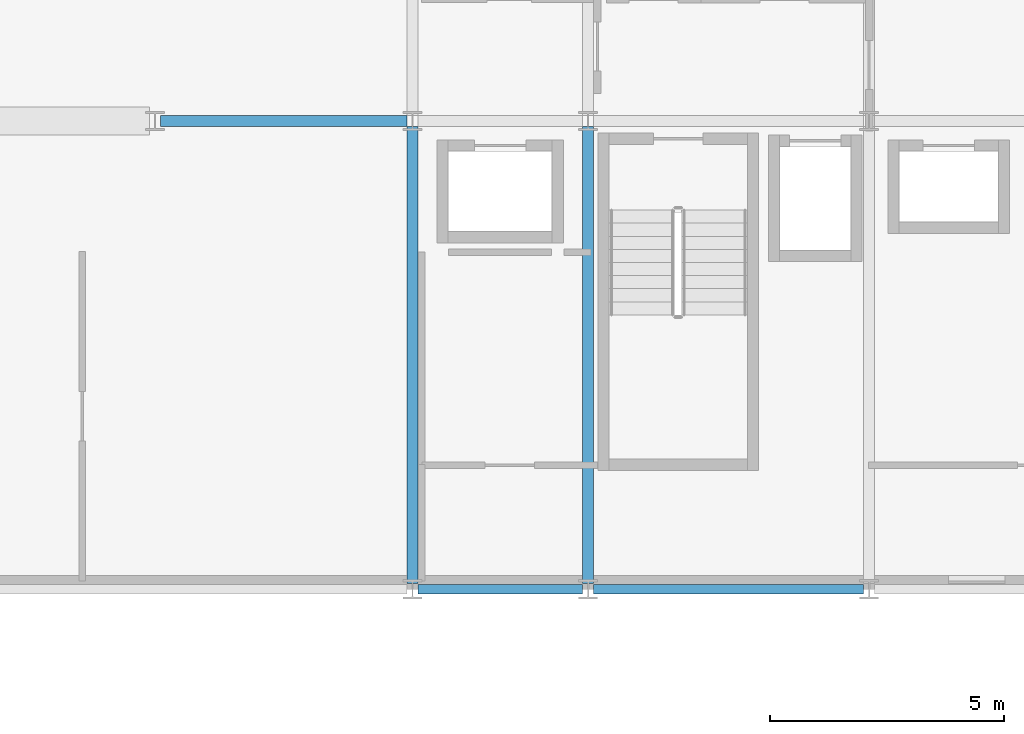
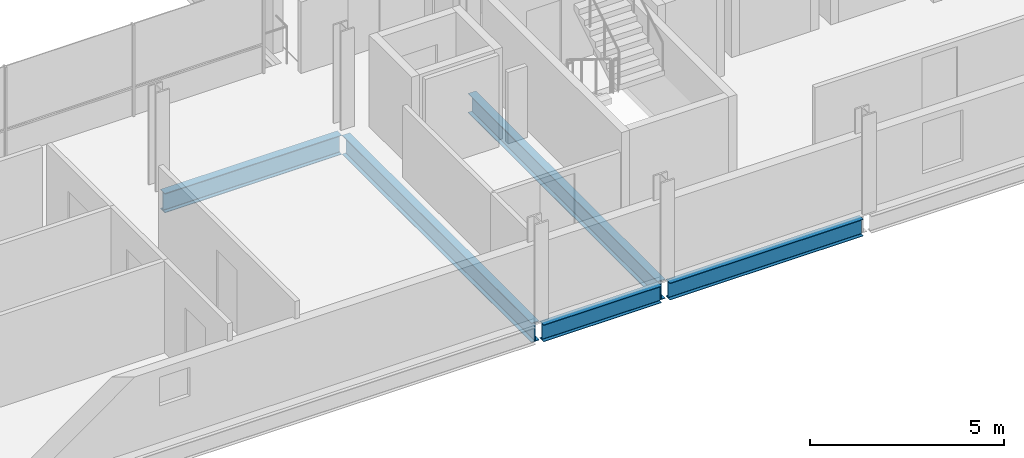
# One storey, part 14 of 41: 5 beams.
"""IFC4 building model written with IfcOpenShell, lengths in metres."""

from ifc_helpers import new_model, si_unit, direction, frame, origin, origin_2d, place, context, subcontext, project, spatial, i_section, extrude, material, material_profile, profile_set, type_object, element, save


model = new_model("IFC4")

# Units and contexts
model_context = context("Model", 3, precision=1e-05, world=origin(), true_north=direction((0.0, 1.0)))
body_context = subcontext(model_context, "Body", "Model", "MODEL_VIEW")
ifc_project = project(units=[si_unit("LENGTHUNIT", "METRE"), si_unit("AREAUNIT", "SQUARE_METRE"), si_unit("VOLUMEUNIT", "CUBIC_METRE"), si_unit("PLANEANGLEUNIT", "RADIAN"), si_unit("MASSUNIT", "GRAM", prefix="KILO")], contexts=[model_context])

# Site, building, storey
site_placement = place(None, origin())
site = spatial("IfcSite", under=ifc_project, at=site_placement, CompositionType="ELEMENT")
building_placement = place(site_placement, origin())
building = spatial("IfcBuilding", under=site, at=building_placement, Name="Brevholm Reach", CompositionType="ELEMENT")
storey_placement = place(building_placement, frame((0.0, 0.0, 163.5)))
storey = spatial("IfcBuildingStorey", under=building, at=storey_placement, Name="L49", CompositionType="ELEMENT", Elevation=163.5)

# Beams
ifc_material_1 = material(Name="Structural Steel S355J2", Category="steel")
ifc_material_profile_1 = material_profile(ifc_material_1, i_section(OverallWidth=0.209228515625, OverallDepth=0.533203125, WebThickness=0.010009765625, FlangeThickness=0.015625, FilletRadius=0.0126953125, at=origin_2d()), Name="UKB 533x210x92")
ifc_profile_set_1 = profile_set([ifc_material_profile_1], Name="Structural Steel S355J2")
beam_type_1 = type_object("IfcBeamType", Name="BM-SP533", PredefinedType="SPANDREL", material=ifc_profile_set_1)
beam_1_placement = place(storey_placement, frame((38.3701171875, 0.0, -0.486572265625), z_axis=(1.0, 0.0, 0.0), x_axis=(0.0, 1.0, 0.0)))
element("IfcBeam", 1, at=beam_1_placement, inside=storey, type_object=beam_type_1, Name="L49 SP-02 Framing Beam", PredefinedType="SPANDREL", context=body_context, shape_type="SweptSolid", body=[
    extrude(i_section(OverallWidth=0.209228515625, OverallDepth=0.533203125, WebThickness=0.010009765625, FlangeThickness=0.015625, FilletRadius=0.0126953125, at=origin_2d()), origin(), (0.0, 0.0, 1.0), 3.509765625),
])
beam_2_placement = place(storey_placement, frame((42.1201171875, 0.0, -0.486572265625), z_axis=(1.0, 0.0, 0.0), x_axis=(0.0, 1.0, 0.0)))
element("IfcBeam", 2, at=beam_2_placement, inside=storey, type_object=beam_type_1, Name="L49 SP-02 Framing Beam", PredefinedType="SPANDREL", context=body_context, shape_type="SweptSolid", body=[
    extrude(i_section(OverallWidth=0.209228515625, OverallDepth=0.533203125, WebThickness=0.010009765625, FlangeThickness=0.015625, FilletRadius=0.0126953125, at=origin_2d()), origin(), (0.0, 0.0, 1.0), 5.759765625),
])
ifc_material_2 = material(Name="Structural Steel S355J2", Category="steel")
ifc_material_profile_2 = material_profile(ifc_material_2, i_section(OverallWidth=0.22900390625, OverallDepth=0.6123046875, WebThickness=0.011962890625, FlangeThickness=0.01953125, FilletRadius=0.0126953125, at=origin_2d()), Name="UKB 610x229x125")
ifc_profile_set_2 = profile_set([ifc_material_profile_2], Name="Structural Steel S355J2")
beam_type_2 = type_object("IfcBeamType", Name="BM-SP610", PredefinedType="SPANDREL", material=ifc_profile_set_2)
beam_3_placement = place(storey_placement, frame((32.8701171875, 10.0, -0.526123046875), z_axis=(1.0, 0.0, 0.0), x_axis=(0.0, 1.0, 0.0)))
element("IfcBeam", 3, at=beam_3_placement, inside=storey, type_object=beam_type_2, Name="L49 SP-01 Framing Beam", PredefinedType="SPANDREL", context=body_context, shape_type="SweptSolid", body=[
    extrude(i_section(OverallWidth=0.22900390625, OverallDepth=0.6123046875, WebThickness=0.011962890625, FlangeThickness=0.01953125, FilletRadius=0.0126953125, at=origin_2d()), origin(), (0.0, 0.0, 1.0), 5.259765625),
])
for number, where, z_axis, x_axis, name in (
    (4, (38.25, 0.1201171875, -0.526123046875), (0.0, 1.0, 0.0), (-1.0, 0.0, 0.0), "L49 SP-01 Framing Beam"),
    (5, (42.0, 0.1201171875, -0.526123046875), (0.0, 1.0, 0.0), (-1.0, 0.0, 0.0), "L49 SP-01 Framing Beam"),
):
    element("IfcBeam", number, at=place(storey_placement, frame(where, z_axis=z_axis, x_axis=x_axis)), inside=storey, type_object=beam_type_2, Name=name, PredefinedType="SPANDREL", context=body_context, shape_type="SweptSolid", body=[
        extrude(i_section(OverallWidth=0.22900390625, OverallDepth=0.6123046875, WebThickness=0.011962890625, FlangeThickness=0.01953125, FilletRadius=0.0126953125, at=origin_2d()), origin(), (0.0, 0.0, 1.0), 9.759765625),
    ])

save(model, "model.ifc")
